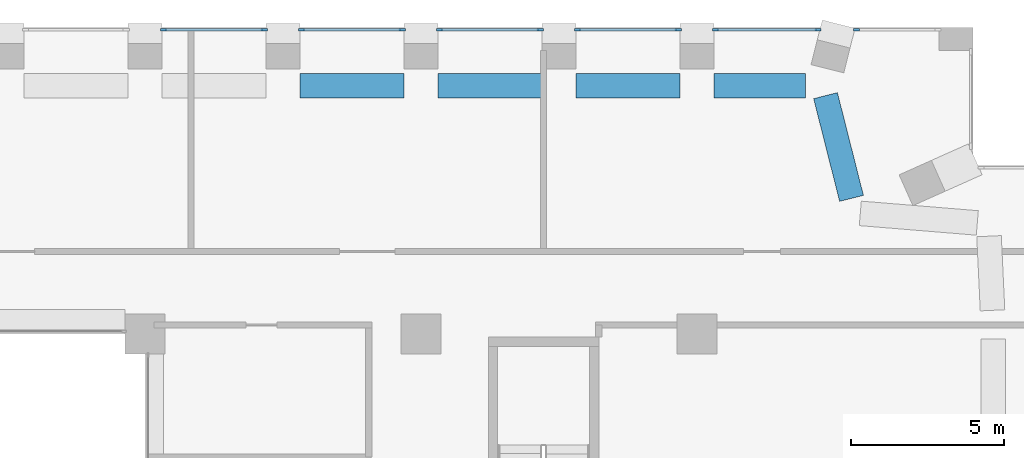
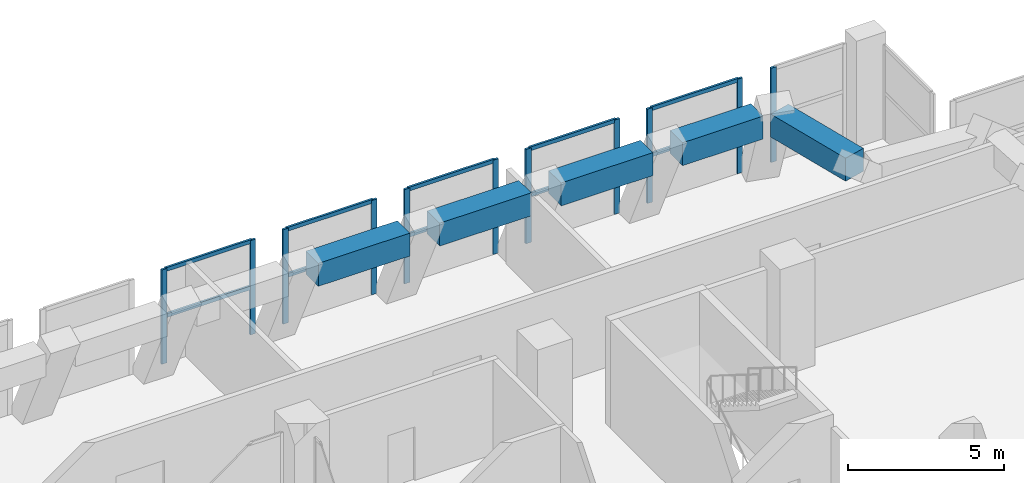
# One storey, part 9 of 20: 21 members, 5 beams, 6 elements without a shape of their own.
"""IFC4 building model written with IfcOpenShell, lengths in metres."""

import ifcopenshell
import ifcopenshell.guid

model = None  # the IFC model being written
_history = None  # IfcOwnerHistory: only IFC2X3 demands one
_inside = {}  # id of a spatial element -> (the spatial element, [elements in it])
_under = {}  # id of a project, library or spatial element -> (it, [spatial elements below it])
_declared = {}  # id of a project -> (the project, [libraries it declares])
_typed = {}  # id of a type object -> (the type object, [elements of that type])
_made_of = {}  # id of a material, layer set ... -> (it, [elements and type objects made of it])


def new_model(schema):
    """Start an empty IFC model of exactly this schema.

    Asked for "IFC4X3", IfcOpenShell would pick the latest addendum, in which some entities
    have other attributes; the version numbers below select the first issue.
    IFC2X3 requires an IfcOwnerHistory on every rooted entity: one is made here for all.
    """
    global model, _history
    if schema == "IFC4X3":
        model = ifcopenshell.file(schema_version=(4, 3, 0, 0))
    else:
        model = ifcopenshell.file(schema=schema)
    _inside.clear()
    _under.clear()
    _declared.clear()
    _typed.clear()
    _made_of.clear()
    _history = None
    if model.schema == "IFC2X3":
        org = make("IfcOrganization", Name="unknown")
        user = make(
            "IfcPersonAndOrganization",
            ThePerson=make("IfcPerson", FamilyName="unknown"),
            TheOrganization=org,
        )
        app = make(
            "IfcApplication",
            ApplicationDeveloper=org,
            Version="unknown",
            ApplicationFullName="unknown",
            ApplicationIdentifier="unknown",
        )
        _history = make(
            "IfcOwnerHistory",
            OwningUser=user,
            OwningApplication=app,
            ChangeAction="ADDED",
            CreationDate=0,
        )
    return model


def make(cls, **values):
    """One entity of the class cls with the attributes given. An attribute that is None is left unset."""
    return model.create_entity(
        cls, **{name: value for name, value in values.items() if value is not None}
    )


def rooted(cls, **values):
    """An entity with a GlobalId (a new one), such as an element, a storey or a relation."""
    return make(cls, GlobalId=ifcopenshell.guid.new(), OwnerHistory=_history, **values)


def si_unit(unit_type, name, prefix=None):
    """IfcSIUnit, for example si_unit("LENGTHUNIT", "METRE", prefix="MILLI")."""
    return make("IfcSIUnit", UnitType=unit_type, Prefix=prefix, Name=name)


def assignment(units):
    """IfcUnitAssignment: the units of a project."""
    return None if units is None else make("IfcUnitAssignment", Units=units)


def point(xyz):
    """IfcCartesianPoint."""
    return None if xyz is None else make("IfcCartesianPoint", Coordinates=xyz)


def direction(xyz):
    """IfcDirection."""
    return None if xyz is None else make("IfcDirection", DirectionRatios=xyz)


def frame(location, z_axis=None, x_axis=None):
    """IfcAxis2Placement3D, a coordinate frame: its origin and axes. An axis left out is left unset."""
    return make(
        "IfcAxis2Placement3D",
        Location=point(location),
        Axis=direction(z_axis),
        RefDirection=direction(x_axis),
    )


def frame_2d(location, x_axis=None):
    """IfcAxis2Placement2D, a coordinate frame in the plane: its origin and x axis."""
    return make(
        "IfcAxis2Placement2D", Location=point(location), RefDirection=direction(x_axis)
    )


def origin():
    """The frame at (0, 0, 0) with its axes left unset."""
    return frame((0.0, 0.0, 0.0))


def origin_2d():
    """The frame at (0, 0) in the plane with its x axis left unset."""
    return frame_2d((0.0, 0.0))


def place(relative_to, where):
    """IfcLocalPlacement: puts the frame where relative to a parent placement (None: the world)."""
    return make(
        "IfcLocalPlacement", PlacementRelTo=relative_to, RelativePlacement=where
    )


def context(
    kind, dimensions, precision=None, world=None, true_north=None, identifier=None
):
    """IfcGeometricRepresentationContext, for example the 3D "Model" context."""
    return make(
        "IfcGeometricRepresentationContext",
        ContextIdentifier=identifier,
        ContextType=kind,
        CoordinateSpaceDimension=dimensions,
        Precision=precision,
        WorldCoordinateSystem=world,
        TrueNorth=true_north,
    )


def subcontext(parent, identifier, kind, view, scale=None):
    """IfcGeometricRepresentationSubContext, for example "Body" below "Model"."""
    return make(
        "IfcGeometricRepresentationSubContext",
        ContextIdentifier=identifier,
        ContextType=kind,
        ParentContext=parent,
        TargetScale=scale,
        TargetView=view,
    )


def project(units=None, contexts=None):
    """IfcProject with its units and contexts."""
    return rooted(
        "IfcProject",
        Name="project",
        RepresentationContexts=contexts,
        UnitsInContext=assignment(units),
    )


def spatial(cls, under=None, at=None, **own):
    """A site, building, storey or space (cls), placed at a placement, below another one or the project."""
    s = rooted(cls, ObjectPlacement=at, **own)
    if under is not None:
        _under.setdefault(under.id(), (under, []))[1].append(s)
    return s


def profile(cls, at=None, kind="AREA", **sizes):
    """A parametric profile (cls). Its sizes go by their IFC names, for example OverallWidth=200.0."""
    return make(cls, ProfileType=kind, Position=at, **sizes)


def rectangle(**sizes):
    """IfcRectangleProfileDef."""
    return profile("IfcRectangleProfileDef", **sizes)


def extrude(swept, where, along, depth):
    """IfcExtrudedAreaSolid: the profile swept, set in the frame where, extruded along a direction by depth."""
    return make(
        "IfcExtrudedAreaSolid",
        SweptArea=swept,
        Position=where,
        ExtrudedDirection=direction(along),
        Depth=depth,
    )


def shape(context_of_items, identifier, shape_type, items):
    """IfcShapeRepresentation: the items that make up one representation, for example the "Body"."""
    return make(
        "IfcShapeRepresentation",
        ContextOfItems=context_of_items,
        RepresentationIdentifier=identifier,
        RepresentationType=shape_type,
        Items=items,
    )


def material(Name=None, Category=None):
    """IfcMaterial."""
    return make("IfcMaterial", Name=Name, Category=Category)


def layer(
    of_material, thickness, ventilated=None, Name=None, Category=None, Priority=None
):
    """IfcMaterialLayer: one layer of a wall or slab, of a material (None: an air gap)."""
    return make(
        "IfcMaterialLayer",
        Material=of_material,
        LayerThickness=thickness,
        IsVentilated=ventilated,
        Name=Name,
        Category=Category,
        Priority=Priority,
    )


def layer_set(layers, Name=None):
    """IfcMaterialLayerSet."""
    return make("IfcMaterialLayerSet", MaterialLayers=layers, LayerSetName=Name)


def material_profile(
    of_material, cross_section, Name=None, Category=None, Priority=None
):
    """IfcMaterialProfile: a cross section and its material."""
    return make(
        "IfcMaterialProfile",
        Name=Name,
        Material=of_material,
        Profile=cross_section,
        Priority=Priority,
        Category=Category,
    )


def profile_set(profiles, Name=None, composite=None):
    """IfcMaterialProfileSet."""
    return make(
        "IfcMaterialProfileSet",
        Name=Name,
        MaterialProfiles=profiles,
        CompositeProfile=composite,
    )


def made_of(thing, what):
    """Note that an element or type object is made of a material, layer set ...; save() writes the relation."""
    if what is not None:
        _made_of.setdefault(what.id(), (what, []))[1].append(thing)
    return thing


def type_object(cls, material=None, **own):
    """A type object (cls), such as IfcWallType, which elements share."""
    return made_of(rooted(cls, **own), material)


def element(
    cls,
    number,
    at=None,
    inside=None,
    cuts=None,
    type_object=None,
    material=None,
    context=None,
    identifier="Body",
    shape_type=None,
    held_by="IfcProductDefinitionShape",
    body=None,
    shapes=None,
    **own,
):
    """One element of the class cls, such as IfcWall. Its Tag is "e" and its number.

    at: its placement. inside: the storey or other place that contains it. cuts: it is an
    opening in that element (IfcRelVoidsElement). A single representation is given by context,
    identifier, shape_type and body (its items); several are given by shapes. held_by: the class
    of the entity that holds the representations. save() writes the other relations.
    """
    e = rooted(cls, Tag="e%d" % number, ObjectPlacement=at, **own)
    if body is not None:
        shapes = [shape(context, identifier, shape_type, body)]
    if shapes is not None:
        e.Representation = make(held_by, Representations=shapes)
    if inside is not None:
        _inside.setdefault(inside.id(), (inside, []))[1].append(e)
    if cuts is not None:
        rooted(
            "IfcRelVoidsElement", RelatingBuildingElement=cuts, RelatedOpeningElement=e
        )
    if type_object is not None:
        _typed.setdefault(type_object.id(), (type_object, []))[1].append(e)
    return made_of(e, material)


def aggregate(whole, parts):
    """IfcRelAggregates: a whole, such as a stair, and the parts it consists of."""
    return rooted("IfcRelAggregates", RelatingObject=whole, RelatedObjects=parts)


def save(model, path):
    """Write the relations noted so far, then the file.

    IfcRelAggregates (storeys below a building ...), IfcRelContainedInSpatialStructure (elements
    in a storey), IfcRelDefinesByType, IfcRelAssociatesMaterial and IfcRelDeclares: one each for
    every whole, place, type object, material and project.
    """
    for whole, parts in _under.values():
        aggregate(whole, parts)
    for where, things in _inside.values():
        rooted(
            "IfcRelContainedInSpatialStructure",
            RelatedElements=things,
            RelatingStructure=where,
        )
    for kind, things in _typed.values():
        rooted("IfcRelDefinesByType", RelatedObjects=things, RelatingType=kind)
    for what, things in _made_of.values():
        rooted("IfcRelAssociatesMaterial", RelatedObjects=things, RelatingMaterial=what)
    for by, libraries in _declared.values():
        rooted("IfcRelDeclares", RelatingContext=by, RelatedDefinitions=libraries)
    model.write(path)


model = new_model("IFC4")

# Units and contexts
model_context = context("Model", 3, precision=1e-05, world=origin(), true_north=direction((0.0, 1.0)))
body_context = subcontext(model_context, "Body", "Model", "MODEL_VIEW")
ifc_project = project(units=[si_unit("LENGTHUNIT", "METRE"), si_unit("AREAUNIT", "SQUARE_METRE"), si_unit("VOLUMEUNIT", "CUBIC_METRE"), si_unit("PLANEANGLEUNIT", "RADIAN"), si_unit("MASSUNIT", "GRAM", prefix="KILO")], contexts=[model_context])

# Site, building, storey
site_placement = place(None, origin())
site = spatial("IfcSite", under=ifc_project, at=site_placement, CompositionType="ELEMENT")
building_placement = place(site_placement, origin())
building = spatial("IfcBuilding", under=site, at=building_placement, Name="Brigalow Station Residences", CompositionType="ELEMENT")
storey_placement = place(building_placement, frame((0.0, 0.0, 137.10009765625)))
storey = spatial("IfcBuildingStorey", under=building, at=storey_placement, Name="L39", CompositionType="ELEMENT", Elevation=137.10009765625)

# Beams
ifc_material_1 = material(Name="Concrete C65", Category="concrete")
ifc_material_profile_1 = material_profile(ifc_material_1, rectangle(XDim=0.800048828125, YDim=0.89990234375, at=origin_2d()), Name="RC800x900")
ifc_profile_set_1 = profile_set([ifc_material_profile_1], Name="Concrete C65")
beam_type = type_object("IfcBeamType", Name="KINK TIE BEAM 800x900 C65", PredefinedType="BEAM", material=ifc_profile_set_1)
beam_1_placement = place(storey_placement, frame((68.0419921875, 39.927490234375, 3.25), z_axis=(-0.245394129394, 0.969423396282, 0.0), x_axis=(-0.969423396282, -0.245394129394, 0.0)))
element("IfcBeam", 1, at=beam_1_placement, inside=storey, type_object=beam_type, Name="KINK TIE BEAM 18 L39", PredefinedType="BEAM", context=body_context, shape_type="SweptSolid", body=[
    extrude(rectangle(XDim=0.800048828125, YDim=0.89990234375, at=origin_2d()), origin(), (0.0, 0.0, 1.0), 3.455322265625),
])
beam_2_placement = place(storey_placement, frame((66.545654296875, 43.5966796875, 3.25), z_axis=(-1.0, 0.0, 0.0), x_axis=(0.0, -1.0, 0.0)))
element("IfcBeam", 2, at=beam_2_placement, inside=storey, type_object=beam_type, Name="KINK TIE BEAM 19 L39", PredefinedType="BEAM", context=body_context, shape_type="SweptSolid", body=[
    extrude(rectangle(XDim=0.800048828125, YDim=0.89990234375, at=origin_2d()), origin(), (0.0, 0.0, 1.0), 2.99560546875),
])
for number, where, z_axis, x_axis, name in (
    (3, (62.449951171875, 43.5966796875, 3.25), (-1.0, 0.0, 0.0), (0.0, -1.0, 0.0), "KINK TIE BEAM 20 L39"),
    (4, (57.949951171875, 43.5966796875, 3.25), (-1.0, 0.0, 0.0), (0.0, -1.0, 0.0), "KINK TIE BEAM 21 L39"),
    (5, (53.449951171875, 43.5966796875, 3.25), (-1.0, 0.0, 0.0), (0.0, -1.0, 0.0), "KINK TIE BEAM 22 L39"),
):
    element("IfcBeam", number, at=place(storey_placement, frame(where, z_axis=z_axis, x_axis=x_axis)), inside=storey, type_object=beam_type, Name=name, PredefinedType="BEAM", context=body_context, shape_type="SweptSolid", body=[
        extrude(rectangle(XDim=0.800048828125, YDim=0.89990234375, at=origin_2d()), origin(), (0.0, 0.0, 1.0), 3.39990234375),
    ])

# Curtain wall, member
ifc_material_2 = material(Name="Aluminium", Category="aluminium")
ifc_layer = layer(ifc_material_2, 0.199951171875)
ifc_layer_set = layer_set([ifc_layer], Name="REFUGE FLOOR LOUVRE CURTAIN WALL")
curtain_wall_type = type_object("IfcCurtainWallType", Name="REFUGE FLOOR LOUVRE CURTAIN WALL", PredefinedType="NOTDEFINED", material=ifc_layer_set)
curtain_wall_1_placement = place(storey_placement, origin())
curtain_wall_1 = element("IfcCurtainWall", 6, at=curtain_wall_1_placement, inside=storey, type_object=curtain_wall_type, Name="L39/cw/louvre-W-L39-23-20", PredefinedType="NOTDEFINED")
ifc_material_3 = material(Name="Aluminium", Category="aluminium")
ifc_material_profile_2 = material_profile(ifc_material_3, rectangle(XDim=0.080078125, YDim=0.199951171875, at=origin_2d()), Name="REFUGE FLOOR LOUVRE MULLION 80x200")
ifc_profile_set_2 = profile_set([ifc_material_profile_2], Name="Aluminium")
member_type_1 = type_object("IfcMemberType", Name="REFUGE FLOOR LOUVRE MULLION 80x200", PredefinedType="MULLION", material=ifc_profile_set_2)
member_1_placement = place(storey_placement, frame((68.203857421875, 45.425048828125, 0.0), z_axis=(0.0, 0.0, 1.0), x_axis=(0.0, -1.0, 0.0)))
member_1 = element("IfcMember", 7, at=member_1_placement, type_object=member_type_1, Name="L39/cw/louvre-W-L39-23-20/M01", PredefinedType="MULLION", context=body_context, shape_type="SweptSolid", body=[
    extrude(rectangle(XDim=0.080078125, YDim=0.199951171875, at=origin_2d()), origin(), (0.0, 0.0, 1.0), 3.699951171875),
])
aggregate(curtain_wall_1, [member_1])

# Curtain wall, members
curtain_wall_2_placement = place(storey_placement, origin())
curtain_wall_2 = element("IfcCurtainWall", 8, at=curtain_wall_2_placement, inside=storey, type_object=curtain_wall_type, Name="L39/cw/louvre-W-L39-23-21", PredefinedType="NOTDEFINED")
member_2_placement = place(storey_placement, frame((66.947998046875, 45.425048828125, 0.0), z_axis=(0.0, 0.0, 1.0), x_axis=(0.0, -1.0, 0.0)))
member_2 = element("IfcMember", 9, at=member_2_placement, type_object=member_type_1, Name="L39/cw/louvre-W-L39-23-21/M00", PredefinedType="MULLION", context=body_context, shape_type="SweptSolid", body=[
    extrude(rectangle(XDim=0.080078125, YDim=0.199951171875, at=origin_2d()), origin(), (0.0, 0.0, 1.0), 3.699951171875),
])
member_3_placement = place(storey_placement, frame((63.610107421875, 45.425048828125, 0.0), z_axis=(0.0, 0.0, 1.0), x_axis=(0.0, -1.0, 0.0)))
member_3 = element("IfcMember", 10, at=member_3_placement, type_object=member_type_1, Name="L39/cw/louvre-W-L39-23-21/M01", PredefinedType="MULLION", context=body_context, shape_type="SweptSolid", body=[
    extrude(rectangle(XDim=0.080078125, YDim=0.199951171875, at=origin_2d()), origin(), (0.0, 0.0, 1.0), 3.699951171875),
])

curtain_wall_3_placement = place(storey_placement, origin())
curtain_wall_3 = element("IfcCurtainWall", 11, at=curtain_wall_3_placement, inside=storey, type_object=curtain_wall_type, Name="L39/cw/louvre-W-L39-23-22", PredefinedType="NOTDEFINED")
member_4_placement = place(storey_placement, frame((62.389892578125, 45.425048828125, 0.0), z_axis=(0.0, 0.0, 1.0), x_axis=(0.0, -1.0, 0.0)))
member_4 = element("IfcMember", 12, at=member_4_placement, type_object=member_type_1, Name="L39/cw/louvre-W-L39-23-22/M00", PredefinedType="MULLION", context=body_context, shape_type="SweptSolid", body=[
    extrude(rectangle(XDim=0.080078125, YDim=0.199951171875, at=origin_2d()), origin(), (0.0, 0.0, 1.0), 3.699951171875),
])
member_5_placement = place(storey_placement, frame((59.110107421875, 45.425048828125, 0.0), z_axis=(0.0, 0.0, 1.0), x_axis=(0.0, -1.0, 0.0)))
member_5 = element("IfcMember", 13, at=member_5_placement, type_object=member_type_1, Name="L39/cw/louvre-W-L39-23-22/M01", PredefinedType="MULLION", context=body_context, shape_type="SweptSolid", body=[
    extrude(rectangle(XDim=0.080078125, YDim=0.199951171875, at=origin_2d()), origin(), (0.0, 0.0, 1.0), 3.699951171875),
])

curtain_wall_4_placement = place(storey_placement, origin())
curtain_wall_4 = element("IfcCurtainWall", 14, at=curtain_wall_4_placement, inside=storey, type_object=curtain_wall_type, Name="L39/cw/louvre-W-L39-23-23", PredefinedType="NOTDEFINED")
member_6_placement = place(storey_placement, frame((57.889892578125, 45.425048828125, 0.0), z_axis=(0.0, 0.0, 1.0), x_axis=(0.0, -1.0, 0.0)))
member_6 = element("IfcMember", 15, at=member_6_placement, type_object=member_type_1, Name="L39/cw/louvre-W-L39-23-23/M00", PredefinedType="MULLION", context=body_context, shape_type="SweptSolid", body=[
    extrude(rectangle(XDim=0.080078125, YDim=0.199951171875, at=origin_2d()), origin(), (0.0, 0.0, 1.0), 3.699951171875),
])
member_7_placement = place(storey_placement, frame((54.610107421875, 45.425048828125, 0.0), z_axis=(0.0, 0.0, 1.0), x_axis=(0.0, -1.0, 0.0)))
member_7 = element("IfcMember", 16, at=member_7_placement, type_object=member_type_1, Name="L39/cw/louvre-W-L39-23-23/M01", PredefinedType="MULLION", context=body_context, shape_type="SweptSolid", body=[
    extrude(rectangle(XDim=0.080078125, YDim=0.199951171875, at=origin_2d()), origin(), (0.0, 0.0, 1.0), 3.699951171875),
])

curtain_wall_5_placement = place(storey_placement, origin())
curtain_wall_5 = element("IfcCurtainWall", 17, at=curtain_wall_5_placement, inside=storey, type_object=curtain_wall_type, Name="L39/cw/louvre-W-L39-23-24", PredefinedType="NOTDEFINED")
member_8_placement = place(storey_placement, frame((53.389892578125, 45.425048828125, 0.0), z_axis=(0.0, 0.0, 1.0), x_axis=(0.0, -1.0, 0.0)))
member_8 = element("IfcMember", 18, at=member_8_placement, type_object=member_type_1, Name="L39/cw/louvre-W-L39-23-24/M00", PredefinedType="MULLION", context=body_context, shape_type="SweptSolid", body=[
    extrude(rectangle(XDim=0.080078125, YDim=0.199951171875, at=origin_2d()), origin(), (0.0, 0.0, 1.0), 3.699951171875),
])
member_9_placement = place(storey_placement, frame((50.110107421875, 45.425048828125, 0.0), z_axis=(0.0, 0.0, 1.0), x_axis=(0.0, -1.0, 0.0)))
member_9 = element("IfcMember", 19, at=member_9_placement, type_object=member_type_1, Name="L39/cw/louvre-W-L39-23-24/M01", PredefinedType="MULLION", context=body_context, shape_type="SweptSolid", body=[
    extrude(rectangle(XDim=0.080078125, YDim=0.199951171875, at=origin_2d()), origin(), (0.0, 0.0, 1.0), 3.699951171875),
])

curtain_wall_6_placement = place(storey_placement, origin())
curtain_wall_6 = element("IfcCurtainWall", 20, at=curtain_wall_6_placement, inside=storey, type_object=curtain_wall_type, Name="L39/cw/louvre-W-L39-23-25", PredefinedType="NOTDEFINED")
member_10_placement = place(storey_placement, frame((48.889892578125, 45.425048828125, 0.0), z_axis=(0.0, 0.0, 1.0), x_axis=(0.0, -1.0, 0.0)))
member_10 = element("IfcMember", 21, at=member_10_placement, type_object=member_type_1, Name="L39/cw/louvre-W-L39-23-25/M00", PredefinedType="MULLION", context=body_context, shape_type="SweptSolid", body=[
    extrude(rectangle(XDim=0.080078125, YDim=0.199951171875, at=origin_2d()), origin(), (0.0, 0.0, 1.0), 3.699951171875),
])
member_11_placement = place(storey_placement, frame((45.610107421875, 45.425048828125, 0.0), z_axis=(0.0, 0.0, 1.0), x_axis=(0.0, -1.0, 0.0)))
member_11 = element("IfcMember", 22, at=member_11_placement, type_object=member_type_1, Name="L39/cw/louvre-W-L39-23-25/M01", PredefinedType="MULLION", context=body_context, shape_type="SweptSolid", body=[
    extrude(rectangle(XDim=0.080078125, YDim=0.199951171875, at=origin_2d()), origin(), (0.0, 0.0, 1.0), 3.699951171875),
])

# Member
ifc_material_4 = material(Name="Aluminium", Category="aluminium")
ifc_material_profile_3 = material_profile(ifc_material_4, rectangle(XDim=0.080078125, YDim=0.14990234375, at=origin_2d()), Name="REFUGE FLOOR LOUVRE TRANSOM 80x150")
ifc_profile_set_3 = profile_set([ifc_material_profile_3], Name="Aluminium")
member_type_2 = type_object("IfcMemberType", Name="REFUGE FLOOR LOUVRE TRANSOM 80x150", PredefinedType="USERDEFINED", material=ifc_profile_set_3)
member_12_placement = place(storey_placement, frame((66.907958984375, 45.425048828125, 1.849853515625), z_axis=(-1.0, 0.0, 0.0), x_axis=(0.0, -1.0, 0.0)))
member_12 = element("IfcMember", 23, at=member_12_placement, type_object=member_type_2, Name="L39/cw/louvre-W-L39-23-21/T00-00", ObjectType="TRANSOM", PredefinedType="USERDEFINED", context=body_context, shape_type="SweptSolid", body=[
    extrude(rectangle(XDim=0.080078125, YDim=0.14990234375, at=origin_2d()), origin(), (0.0, 0.0, 1.0), 3.258056640625),
])

member_13_placement = place(storey_placement, frame((66.907958984375, 45.425048828125, 3.659912109375), z_axis=(-1.0, 0.0, 0.0), x_axis=(0.0, -1.0, 0.0)))
member_13 = element("IfcMember", 24, at=member_13_placement, type_object=member_type_2, Name="L39/cw/louvre-W-L39-23-21/T00-01", ObjectType="TRANSOM", PredefinedType="USERDEFINED", context=body_context, shape_type="SweptSolid", body=[
    extrude(rectangle(XDim=0.080078125, YDim=0.14990234375, at=origin_2d()), origin(), (0.0, 0.0, 1.0), 3.258056640625),
])

aggregate(curtain_wall_2, [member_2, member_3, member_12, member_13])

member_14_placement = place(storey_placement, frame((62.35009765625, 45.425048828125, 1.849853515625), z_axis=(-1.0, 0.0, 0.0), x_axis=(0.0, -1.0, 0.0)))
member_14 = element("IfcMember", 25, at=member_14_placement, type_object=member_type_2, Name="L39/cw/louvre-W-L39-23-22/T00-00", ObjectType="TRANSOM", PredefinedType="USERDEFINED", context=body_context, shape_type="SweptSolid", body=[
    extrude(rectangle(XDim=0.080078125, YDim=0.14990234375, at=origin_2d()), origin(), (0.0, 0.0, 1.0), 3.2001953125),
])

member_15_placement = place(storey_placement, frame((62.35009765625, 45.425048828125, 3.659912109375), z_axis=(-1.0, 0.0, 0.0), x_axis=(0.0, -1.0, 0.0)))
member_15 = element("IfcMember", 26, at=member_15_placement, type_object=member_type_2, Name="L39/cw/louvre-W-L39-23-22/T00-01", ObjectType="TRANSOM", PredefinedType="USERDEFINED", context=body_context, shape_type="SweptSolid", body=[
    extrude(rectangle(XDim=0.080078125, YDim=0.14990234375, at=origin_2d()), origin(), (0.0, 0.0, 1.0), 3.2001953125),
])

aggregate(curtain_wall_3, [member_4, member_5, member_14, member_15])

member_16_placement = place(storey_placement, frame((57.85009765625, 45.425048828125, 1.849853515625), z_axis=(-1.0, 0.0, 0.0), x_axis=(0.0, -1.0, 0.0)))
member_16 = element("IfcMember", 27, at=member_16_placement, type_object=member_type_2, Name="L39/cw/louvre-W-L39-23-23/T00-00", ObjectType="TRANSOM", PredefinedType="USERDEFINED", context=body_context, shape_type="SweptSolid", body=[
    extrude(rectangle(XDim=0.080078125, YDim=0.14990234375, at=origin_2d()), origin(), (0.0, 0.0, 1.0), 3.2001953125),
])

member_17_placement = place(storey_placement, frame((57.85009765625, 45.425048828125, 3.659912109375), z_axis=(-1.0, 0.0, 0.0), x_axis=(0.0, -1.0, 0.0)))
member_17 = element("IfcMember", 28, at=member_17_placement, type_object=member_type_2, Name="L39/cw/louvre-W-L39-23-23/T00-01", ObjectType="TRANSOM", PredefinedType="USERDEFINED", context=body_context, shape_type="SweptSolid", body=[
    extrude(rectangle(XDim=0.080078125, YDim=0.14990234375, at=origin_2d()), origin(), (0.0, 0.0, 1.0), 3.2001953125),
])

aggregate(curtain_wall_4, [member_6, member_7, member_16, member_17])

member_18_placement = place(storey_placement, frame((53.35009765625, 45.425048828125, 1.849853515625), z_axis=(-1.0, 0.0, 0.0), x_axis=(0.0, -1.0, 0.0)))
member_18 = element("IfcMember", 29, at=member_18_placement, type_object=member_type_2, Name="L39/cw/louvre-W-L39-23-24/T00-00", ObjectType="TRANSOM", PredefinedType="USERDEFINED", context=body_context, shape_type="SweptSolid", body=[
    extrude(rectangle(XDim=0.080078125, YDim=0.14990234375, at=origin_2d()), origin(), (0.0, 0.0, 1.0), 3.2001953125),
])

member_19_placement = place(storey_placement, frame((53.35009765625, 45.425048828125, 3.659912109375), z_axis=(-1.0, 0.0, 0.0), x_axis=(0.0, -1.0, 0.0)))
member_19 = element("IfcMember", 30, at=member_19_placement, type_object=member_type_2, Name="L39/cw/louvre-W-L39-23-24/T00-01", ObjectType="TRANSOM", PredefinedType="USERDEFINED", context=body_context, shape_type="SweptSolid", body=[
    extrude(rectangle(XDim=0.080078125, YDim=0.14990234375, at=origin_2d()), origin(), (0.0, 0.0, 1.0), 3.2001953125),
])

aggregate(curtain_wall_5, [member_8, member_9, member_18, member_19])

member_20_placement = place(storey_placement, frame((48.85009765625, 45.425048828125, 1.849853515625), z_axis=(-1.0, 0.0, 0.0), x_axis=(0.0, -1.0, 0.0)))
member_20 = element("IfcMember", 31, at=member_20_placement, type_object=member_type_2, Name="L39/cw/louvre-W-L39-23-25/T00-00", ObjectType="TRANSOM", PredefinedType="USERDEFINED", context=body_context, shape_type="SweptSolid", body=[
    extrude(rectangle(XDim=0.080078125, YDim=0.14990234375, at=origin_2d()), origin(), (0.0, 0.0, 1.0), 3.2001953125),
])

member_21_placement = place(storey_placement, frame((48.85009765625, 45.425048828125, 3.659912109375), z_axis=(-1.0, 0.0, 0.0), x_axis=(0.0, -1.0, 0.0)))
member_21 = element("IfcMember", 32, at=member_21_placement, type_object=member_type_2, Name="L39/cw/louvre-W-L39-23-25/T00-01", ObjectType="TRANSOM", PredefinedType="USERDEFINED", context=body_context, shape_type="SweptSolid", body=[
    extrude(rectangle(XDim=0.080078125, YDim=0.14990234375, at=origin_2d()), origin(), (0.0, 0.0, 1.0), 3.2001953125),
])

aggregate(curtain_wall_6, [member_10, member_11, member_20, member_21])

save(model, "model.ifc")
